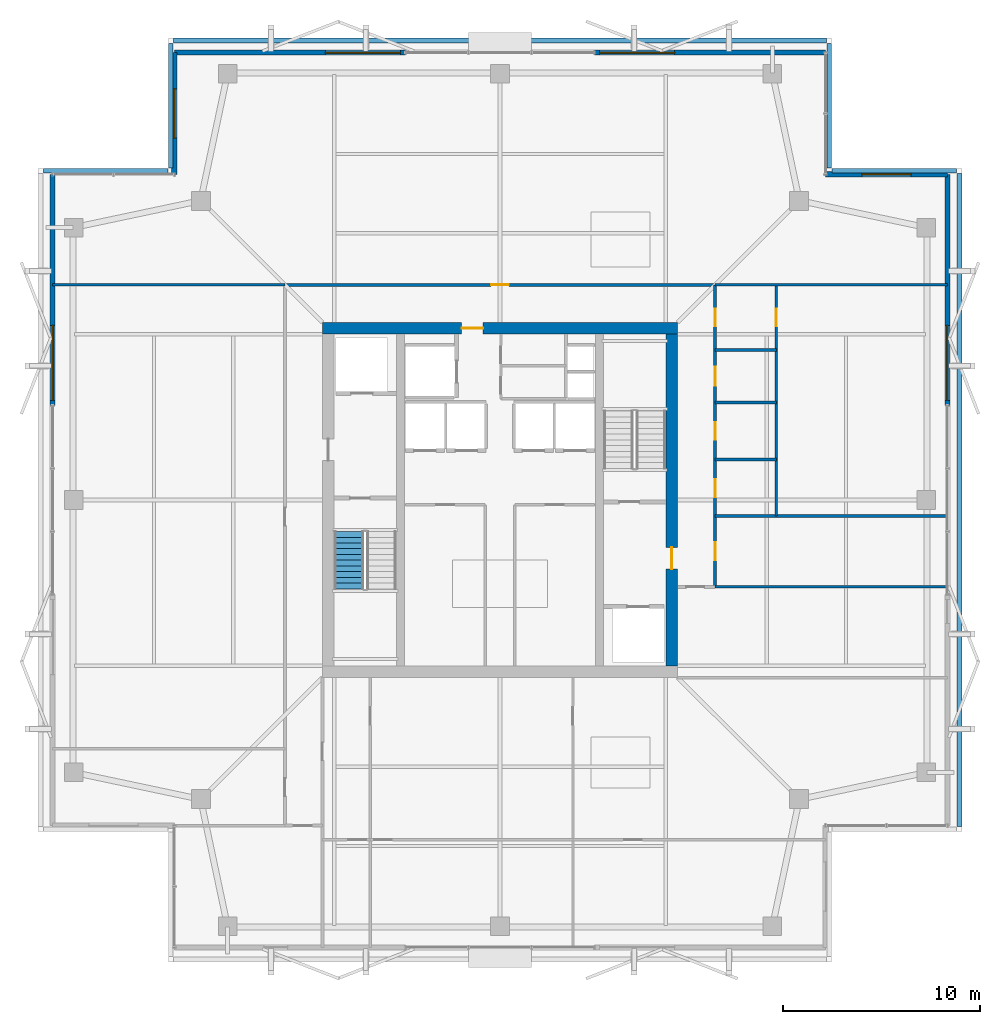
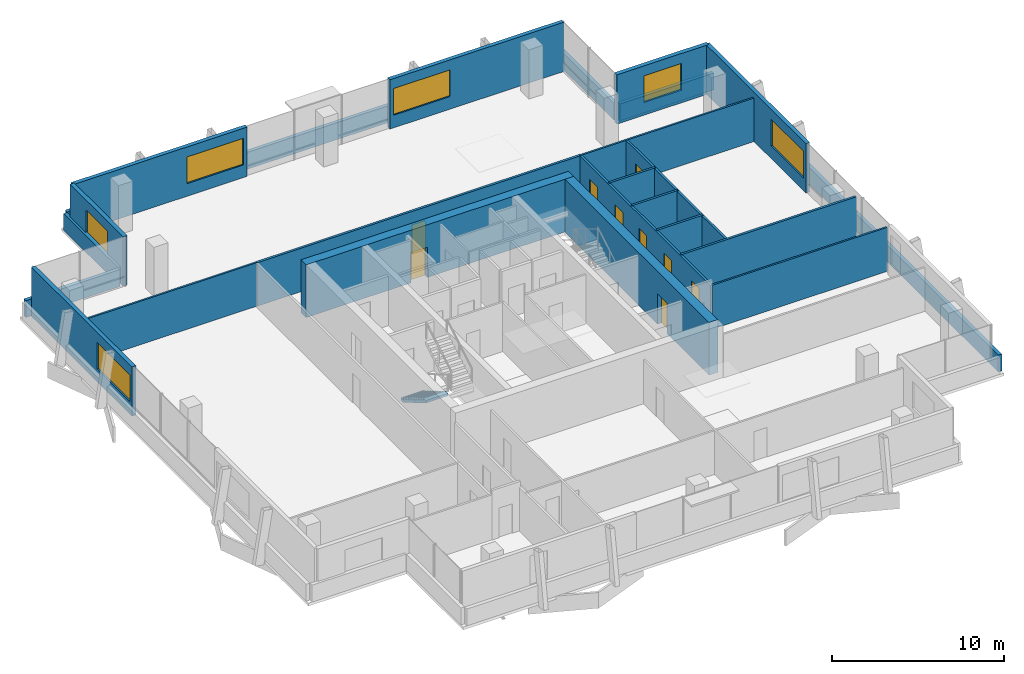
# One storey, part 23 of 26: 24 walls, 9 doors, 6 windows, 1 stair flight, 15 openings, 1 element without a shape of its own.
"""IFC4 building model written with IfcOpenShell, lengths in metres."""

from ifc_helpers import new_model, si_unit, direction, frame, frame_2d, origin, place, context, subcontext, project, spatial, polyline, rectangle, outline, extrude, material, layer, layer_set, type_object, element, fill, aggregate, save


model = new_model("IFC4")

# Units and contexts
model_context = context("Model", 3, precision=1e-05, world=origin(), true_north=direction((0.0, 1.0)))
body_context = subcontext(model_context, "Body", "Model", "MODEL_VIEW")
ifc_project = project(units=[si_unit("LENGTHUNIT", "METRE"), si_unit("AREAUNIT", "SQUARE_METRE"), si_unit("VOLUMEUNIT", "CUBIC_METRE"), si_unit("PLANEANGLEUNIT", "RADIAN"), si_unit("MASSUNIT", "GRAM", prefix="KILO")], contexts=[model_context])

# Site, building, storey
site_placement = place(None, origin())
site = spatial("IfcSite", under=ifc_project, at=site_placement, CompositionType="ELEMENT")
building_placement = place(site_placement, origin())
building = spatial("IfcBuilding", under=site, at=building_placement, Name="Belovzor Exchange Tower", CompositionType="ELEMENT")
storey_placement = place(building_placement, frame((0.0, 0.0, 295.5)))
storey = spatial("IfcBuildingStorey", under=building, at=storey_placement, Name="L73", CompositionType="ELEMENT", Elevation=295.5)

# Walls
ifc_material_1 = material(Name="Acoustic Plasterboard on Galvanised Studs", Category="gypsum")
ifc_layer_1 = layer(ifc_material_1, 0.1201171875)
ifc_layer_set_1 = layer_set([ifc_layer_1], Name="Acoustic Plasterboard on Galvanised Studs")
wall_type_1 = type_object("IfcWallType", Name="Acoustic Double-Stud Partition Wall 120", PredefinedType="PARTITIONING", material=ifc_layer_set_1)
wall_1_placement = place(storey_placement, frame((39.699951171875, 24.39990234375, 0.0), z_axis=(0.0, 0.0, 1.0), x_axis=(1.0, 0.0, 0.0)))
element("IfcWall", 1, at=wall_1_placement, inside=storey, type_object=wall_type_1, Name="W-P120 Partition Wall W-L73-ESN", PredefinedType="PARTITIONING", context=body_context, shape_type="SweptSolid", body=[
    extrude(rectangle(XDim=11.77001953125, YDim=0.1201171875, at=frame_2d((5.885009765625, 0.0))), origin(), (0.0, 0.0, 1.0), 3.135009765625),
])
for number, where, z_axis, x_axis, name in (
    (2, (6.1298828125, 39.699951171875, 0.0), (0.0, 0.0, 1.0), (1.0, 0.0, 0.0), "W-P120 Partition Wall W-L73-END-NW"),
    (3, (39.699951171875, 39.699951171875, 0.0), (0.0, 0.0, 1.0), (1.0, 0.0, 0.0), "W-P120 Partition Wall W-L73-END-NE"),
):
    element("IfcWall", number, at=place(storey_placement, frame(where, z_axis=z_axis, x_axis=x_axis)), inside=storey, type_object=wall_type_1, Name=name, PredefinedType="PARTITIONING", context=body_context, shape_type="SweptSolid", body=[
        extrude(rectangle(XDim=11.77001953125, YDim=0.1201171875, at=frame_2d((5.885009765625, 0.0))), origin(), (0.0, 0.0, 1.0), 3.094970703125),
    ])

# Wall, opening, door
ifc_material_2 = material(Name="Fire-Rated Gypsum Block and Mineral Wool", Category="gypsum")
ifc_layer_2 = layer(ifc_material_2, 0.14990234375)
ifc_layer_set_2 = layer_set([ifc_layer_2], Name="Fire-Rated Gypsum Block and Mineral Wool")
wall_type_2 = type_object("IfcWallType", Name="Fire-Rated Gypsum Block Corridor Wall 150", PredefinedType="PARTITIONING", material=ifc_layer_set_2)
wall_2_placement = place(storey_placement, frame((42.800048828125, 28.0, 0.0), z_axis=(0.0, 0.0, 1.0), x_axis=(0.0, 1.0, 0.0)))
wall_2 = element("IfcWall", 4, at=wall_2_placement, inside=storey, type_object=wall_type_2, Name="W-P150 Partition Wall W-L73-EWC-E", PredefinedType="PARTITIONING", context=body_context, shape_type="SweptSolid", body=[
    extrude(rectangle(XDim=11.699951171875, YDim=0.14990234375, at=frame_2d((5.85009765625, 0.0))), origin(), (0.0, 0.0, 1.0), 3.094970703125),
])
opening_1_placement = place(wall_2_placement, frame((9.60009765625, 0.0, 0.0)))
opening_1 = element("IfcOpeningElement", 5, at=opening_1_placement, cuts=wall_2, Name="Opening D-INT-090", PredefinedType="OPENING", context=body_context, shape_type="SweptSolid", body=[
    extrude(rectangle(XDim=0.89990234375, YDim=2.10009765625, at=frame_2d((0.449951171875, 1.050048828125))), frame((0.0, 0.0849609375, 0.0), z_axis=(0.0, -1.0, 0.0), x_axis=(1.0, 0.0, 0.0)), (0.0, 0.0, 1.0), 0.169921875),
])
ifc_material_3 = material(Name="Veneered Hardwood Acoustic Leaf", Category="wood")
door_type_1 = type_object("IfcDoorType", Name="Trading Suite Acoustic Single Door 900x2100", OperationType="NOTDEFINED", PredefinedType="DOOR", material=ifc_material_3)
door_1_placement = place(opening_1_placement, origin())
door_1 = element("IfcDoor", 6, at=door_1_placement, inside=storey, type_object=door_type_1, Name="D-INT-090 Trading Suite Acoustic Single Door 900x2100", OperationType="SINGLE_SWING_RIGHT", OverallHeight=2.10009765625, OverallWidth=0.89990234375, PredefinedType="DOOR", context=body_context, shape_type="SweptSolid", body=[
    extrude(rectangle(XDim=0.89990234375, YDim=2.10009765625, at=frame_2d((0.449951171875, 1.050048828125))), frame((0.0, 0.02490234375, 0.0), z_axis=(0.0, -1.0, 0.0), x_axis=(1.0, 0.0, 0.0)), (0.0, 0.0, 1.0), 0.050048828125),
])
fill(opening_1, door_1)

# Walls
wall_3_placement = place(storey_placement, frame((39.699951171875, 28.0, 0.0), z_axis=(0.0, 0.0, 1.0), x_axis=(1.0, 0.0, 0.0)))
element("IfcWall", 7, at=wall_3_placement, inside=storey, type_object=wall_type_2, Name="W-P150 Partition Wall W-L73-EWC-S", PredefinedType="PARTITIONING", context=body_context, shape_type="SweptSolid", body=[
    extrude(rectangle(XDim=11.77001953125, YDim=0.14990234375, at=frame_2d((5.885009765625, 0.0))), origin(), (0.0, 0.0, 1.0), 3.135009765625),
])
for number, where, z_axis, x_axis, name in (
    (8, (39.699951171875, 36.39990234375, 0.0), (0.0, 0.0, 1.0), (1.0, 0.0, 0.0), "W-P150 Partition Wall W-L73-EWC-N"),
    (9, (39.699951171875, 30.85009765625, 0.0), (0.0, 0.0, 1.0), (1.0, 0.0, 0.0), "W-P150 Partition Wall W-L73-EWC-D1"),
    (10, (39.699951171875, 33.75, 0.0), (0.0, 0.0, 1.0), (1.0, 0.0, 0.0), "W-P150 Partition Wall W-L73-EWC-D2"),
):
    element("IfcWall", number, at=place(storey_placement, frame(where, z_axis=z_axis, x_axis=x_axis)), inside=storey, type_object=wall_type_2, Name=name, PredefinedType="PARTITIONING", context=body_context, shape_type="SweptSolid", body=[
        extrude(rectangle(XDim=3.10009765625, YDim=0.14990234375, at=frame_2d((1.550048828125, 0.0))), origin(), (0.0, 0.0, 1.0), 3.135009765625),
    ])

# Wall, opening, door
wall_4_placement = place(storey_placement, frame((17.89990234375, 39.699951171875, 0.0), z_axis=(0.0, 0.0, 1.0), x_axis=(1.0, 0.0, 0.0)))
wall_4 = element("IfcWall", 11, at=wall_4_placement, inside=storey, type_object=wall_type_2, Name="W-P150 Partition Wall W-L73-CN", PredefinedType="PARTITIONING", context=body_context, shape_type="SweptSolid", body=[
    extrude(rectangle(XDim=21.800048828125, YDim=0.14990234375, at=frame_2d((10.89990234375, 0.0))), origin(), (0.0, 0.0, 1.0), 3.094970703125),
])
opening_2_placement = place(wall_4_placement, frame((10.449951171875, 0.0, 0.0)))
opening_2 = element("IfcOpeningElement", 12, at=opening_2_placement, cuts=wall_4, Name="Opening D-INT-090", PredefinedType="OPENING", context=body_context, shape_type="SweptSolid", body=[
    extrude(rectangle(XDim=0.89990234375, YDim=2.10009765625, at=frame_2d((0.449951171875, 1.050048828125))), frame((0.0, 0.0849609375, 0.0), z_axis=(0.0, -1.0, 0.0), x_axis=(1.0, 0.0, 0.0)), (0.0, 0.0, 1.0), 0.169921875),
])
door_2_placement = place(opening_2_placement, origin())
door_2 = element("IfcDoor", 13, at=door_2_placement, inside=storey, type_object=door_type_1, Name="D-INT-090 Trading Suite Acoustic Single Door 900x2100", OperationType="SINGLE_SWING_LEFT", OverallHeight=2.10009765625, OverallWidth=0.89990234375, PredefinedType="DOOR", context=body_context, shape_type="SweptSolid", body=[
    extrude(rectangle(XDim=0.89990234375, YDim=2.10009765625, at=frame_2d((0.449951171875, 1.050048828125))), frame((0.0, 0.02490234375, 0.0), z_axis=(0.0, -1.0, 0.0), x_axis=(1.0, 0.0, 0.0)), (0.0, 0.0, 1.0), 0.050048828125),
])
fill(opening_2, door_2)

# Wall, openings, doors
wall_5_placement = place(storey_placement, frame((39.699951171875, 24.39990234375, 0.0), z_axis=(0.0, 0.0, 1.0), x_axis=(0.0, 1.0, 0.0)))
wall_5 = element("IfcWall", 14, at=wall_5_placement, inside=storey, type_object=wall_type_2, Name="W-P150 Partition Wall W-L73-CE", PredefinedType="PARTITIONING", context=body_context, shape_type="SweptSolid", body=[
    extrude(rectangle(XDim=15.300048828125, YDim=0.14990234375, at=frame_2d((7.64990234375, 0.0))), origin(), (0.0, 0.0, 1.0), 3.094970703125),
])
opening_3_placement = place(wall_5_placement, frame((1.35009765625, 0.0, 0.0)))
opening_3 = element("IfcOpeningElement", 15, at=opening_3_placement, cuts=wall_5, Name="Opening D-INT-090", PredefinedType="OPENING", context=body_context, shape_type="SweptSolid", body=[
    extrude(rectangle(XDim=0.89990234375, YDim=2.10009765625, at=frame_2d((0.449951171875, 1.050048828125))), frame((0.0, 0.0849609375, 0.0), z_axis=(0.0, -1.0, 0.0), x_axis=(1.0, 0.0, 0.0)), (0.0, 0.0, 1.0), 0.169921875),
])
opening_4_placement = place(wall_5_placement, frame((4.550048828125, 0.0, 0.0)))
opening_4 = element("IfcOpeningElement", 16, at=opening_4_placement, cuts=wall_5, Name="Opening D-FD60-090", PredefinedType="OPENING", context=body_context, shape_type="SweptSolid", body=[
    extrude(rectangle(XDim=0.89990234375, YDim=2.10009765625, at=frame_2d((0.449951171875, 1.050048828125))), frame((0.0, 0.0849609375, 0.0), z_axis=(0.0, -1.0, 0.0), x_axis=(1.0, 0.0, 0.0)), (0.0, 0.0, 1.0), 0.169921875),
])
opening_5_placement = place(wall_5_placement, frame((7.449951171875, 0.0, 0.0)))
opening_5 = element("IfcOpeningElement", 17, at=opening_5_placement, cuts=wall_5, Name="Opening D-FD60-090", PredefinedType="OPENING", context=body_context, shape_type="SweptSolid", body=[
    extrude(rectangle(XDim=0.89990234375, YDim=2.10009765625, at=frame_2d((0.449951171875, 1.050048828125))), frame((0.0, 0.0849609375, 0.0), z_axis=(0.0, -1.0, 0.0), x_axis=(1.0, 0.0, 0.0)), (0.0, 0.0, 1.0), 0.169921875),
])
opening_6_placement = place(wall_5_placement, frame((10.199951171875, 0.0, 0.0)))
opening_6 = element("IfcOpeningElement", 18, at=opening_6_placement, cuts=wall_5, Name="Opening D-FD60-095", PredefinedType="OPENING", context=body_context, shape_type="SweptSolid", body=[
    extrude(rectangle(XDim=0.949951171875, YDim=2.10009765625, at=frame_2d((0.47509765625, 1.050048828125))), frame((0.0, 0.0849609375, 0.0), z_axis=(0.0, -1.0, 0.0), x_axis=(1.0, 0.0, 0.0)), (0.0, 0.0, 1.0), 0.169921875),
])
opening_7_placement = place(wall_5_placement, frame((13.199951171875, 0.0, 0.0)))
opening_7 = element("IfcOpeningElement", 19, at=opening_7_placement, cuts=wall_5, Name="Opening D-FD60-090", PredefinedType="OPENING", context=body_context, shape_type="SweptSolid", body=[
    extrude(rectangle(XDim=0.89990234375, YDim=2.10009765625, at=frame_2d((0.449951171875, 1.050048828125))), frame((0.0, 0.0849609375, 0.0), z_axis=(0.0, -1.0, 0.0), x_axis=(1.0, 0.0, 0.0)), (0.0, 0.0, 1.0), 0.169921875),
])
ifc_material_4 = material(Name="Moisture-Resistant Timber Fire Leaf", Category="wood")
door_type_2 = type_object("IfcDoorType", Name="Accessible Restroom Wide Fire Door 950x2100", OperationType="NOTDEFINED", PredefinedType="DOOR", material=ifc_material_4)
door_3_placement = place(opening_6_placement, origin())
door_3 = element("IfcDoor", 20, at=door_3_placement, inside=storey, type_object=door_type_2, Name="D-FD60-095 Accessible Restroom Wide Fire Door 950x2100", OperationType="SINGLE_SWING_LEFT", OverallHeight=2.10009765625, OverallWidth=0.949951171875, PredefinedType="DOOR", context=body_context, shape_type="SweptSolid", body=[
    extrude(rectangle(XDim=0.949951171875, YDim=2.10009765625, at=frame_2d((0.47509765625, 1.050048828125))), frame((0.0, 0.02490234375, 0.0), z_axis=(0.0, -1.0, 0.0), x_axis=(1.0, 0.0, 0.0)), (0.0, 0.0, 1.0), 0.050048828125),
])
fill(opening_6, door_3)
ifc_material_5 = material(Name="Acoustic Timber Fire Leaf", Category="wood")
door_type_3 = type_object("IfcDoorType", Name="Core Service & Restroom Fire Door 900x2100", OperationType="NOTDEFINED", PredefinedType="DOOR", material=ifc_material_5)
door_4_placement = place(opening_4_placement, origin())
door_4 = element("IfcDoor", 21, at=door_4_placement, inside=storey, type_object=door_type_3, Name="D-FD60-090 Core Service & Restroom Fire Door 900x2100", OperationType="SINGLE_SWING_LEFT", OverallHeight=2.10009765625, OverallWidth=0.89990234375, PredefinedType="DOOR", context=body_context, shape_type="SweptSolid", body=[
    extrude(rectangle(XDim=0.89990234375, YDim=2.10009765625, at=frame_2d((0.449951171875, 1.050048828125))), frame((0.0, 0.02490234375, 0.0), z_axis=(0.0, -1.0, 0.0), x_axis=(1.0, 0.0, 0.0)), (0.0, 0.0, 1.0), 0.050048828125),
])
fill(opening_4, door_4)
door_5_placement = place(opening_5_placement, origin())
door_5 = element("IfcDoor", 22, at=door_5_placement, inside=storey, type_object=door_type_3, Name="D-FD60-090 Core Service & Restroom Fire Door 900x2100", OperationType="SINGLE_SWING_RIGHT", OverallHeight=2.10009765625, OverallWidth=0.89990234375, PredefinedType="DOOR", context=body_context, shape_type="SweptSolid", body=[
    extrude(rectangle(XDim=0.89990234375, YDim=2.10009765625, at=frame_2d((0.449951171875, 1.050048828125))), frame((0.0, 0.02490234375, 0.0), z_axis=(0.0, -1.0, 0.0), x_axis=(1.0, 0.0, 0.0)), (0.0, 0.0, 1.0), 0.050048828125),
])
fill(opening_5, door_5)
door_6_placement = place(opening_7_placement, origin())
door_6 = element("IfcDoor", 23, at=door_6_placement, inside=storey, type_object=door_type_3, Name="D-FD60-090 Core Service & Restroom Fire Door 900x2100", OperationType="SINGLE_SWING_RIGHT", OverallHeight=2.10009765625, OverallWidth=0.89990234375, PredefinedType="DOOR", context=body_context, shape_type="SweptSolid", body=[
    extrude(rectangle(XDim=0.89990234375, YDim=2.10009765625, at=frame_2d((0.449951171875, 1.050048828125))), frame((0.0, 0.02490234375, 0.0), z_axis=(0.0, -1.0, 0.0), x_axis=(1.0, 0.0, 0.0)), (0.0, 0.0, 1.0), 0.050048828125),
])
fill(opening_7, door_6)
door_7_placement = place(opening_3_placement, origin())
door_7 = element("IfcDoor", 24, at=door_7_placement, inside=storey, type_object=door_type_1, Name="D-INT-090 Trading Suite Acoustic Single Door 900x2100", OperationType="SINGLE_SWING_RIGHT", OverallHeight=2.10009765625, OverallWidth=0.89990234375, PredefinedType="DOOR", context=body_context, shape_type="SweptSolid", body=[
    extrude(rectangle(XDim=0.89990234375, YDim=2.10009765625, at=frame_2d((0.449951171875, 1.050048828125))), frame((0.0, 0.02490234375, 0.0), z_axis=(0.0, -1.0, 0.0), x_axis=(1.0, 0.0, 0.0)), (0.0, 0.0, 1.0), 0.050048828125),
])
fill(opening_3, door_7)

# Wall, opening, window
ifc_material_6 = material(Name="Precast concrete C40/50", Category="concrete")
ifc_layer_3 = layer(ifc_material_6, 0.280029296875)
ifc_layer_set_3 = layer_set([ifc_layer_3], Name="Precast concrete C40/50")
wall_type_3 = type_object("IfcWallType", Name="Precast Concrete Notched Corner Frame Wall 280", PredefinedType="SOLIDWALL", material=ifc_layer_set_3)
wall_6_placement = place(storey_placement, frame((12.300048828125, 45.300048828125, 0.0), z_axis=(0.0, 0.0, 1.0), x_axis=(0.0, 1.0, 0.0)))
wall_6 = element("IfcWall", 25, at=wall_6_placement, inside=storey, type_object=wall_type_3, Name="W-CRN280 Precast Concrete Notched Corner Frame Wall 280 L73", PredefinedType="SOLIDWALL", context=body_context, shape_type="SweptSolid", body=[
    extrude(rectangle(XDim=6.169921875, YDim=0.280029296875, at=frame_2d((3.0849609375, 0.0))), origin(), (0.0, 0.0, 1.0), 3.510009765625),
])
opening_8_placement = place(wall_6_placement, frame((1.8349609375, 0.0, 0.89990234375)))
opening_8 = element("IfcOpeningElement", 26, at=opening_8_placement, cuts=wall_6, Name="Opening WN-CRN250", PredefinedType="OPENING", context=body_context, shape_type="SweptSolid", body=[
    extrude(rectangle(XDim=2.5, YDim=1.89990234375, at=frame_2d((1.25, 0.949951171875))), frame((0.0, 0.14990234375, 0.0), z_axis=(0.0, -1.0, 0.0), x_axis=(1.0, 0.0, 0.0)), (0.0, 0.0, 1.0), 0.300048828125),
])
ifc_material_7 = material(Name="Thermally Broken Aluminium and Triple Glazing", Category="aluminium")
window_type_1 = type_object("IfcWindowType", Name="Streamline Moderne Corner Wrap Ribbon Window 2500x1900", PartitioningType="SINGLE_PANEL", PredefinedType="WINDOW", material=ifc_material_7)
window_1_placement = place(opening_8_placement, origin())
window_1 = element("IfcWindow", 27, at=window_1_placement, inside=storey, type_object=window_type_1, Name="WN-CRN250 Streamline Moderne Corner Wrap Ribbon Window 2500x1900", OverallHeight=1.89990234375, OverallWidth=2.5, PartitioningType="SINGLE_PANEL", PredefinedType="WINDOW", context=body_context, shape_type="SweptSolid", body=[
    extrude(rectangle(XDim=2.5, YDim=1.89990234375, at=frame_2d((1.25, 0.949951171875))), frame((0.0, 0.030029296875, 0.0), z_axis=(0.0, -1.0, 0.0), x_axis=(1.0, 0.0, 0.0)), (0.0, 0.0, 1.0), 0.06005859375),
])
fill(opening_8, window_1)

wall_7_placement = place(storey_placement, frame((45.300048828125, 45.300048828125, 0.0), z_axis=(0.0, 0.0, 1.0), x_axis=(1.0, 0.0, 0.0)))
wall_7 = element("IfcWall", 28, at=wall_7_placement, inside=storey, type_object=wall_type_3, Name="W-CRN280 Precast Concrete Notched Corner Frame Wall 280 L73", PredefinedType="SOLIDWALL", context=body_context, shape_type="SweptSolid", body=[
    extrude(rectangle(XDim=6.169921875, YDim=0.280029296875, at=frame_2d((3.0849609375, 0.0))), origin(), (0.0, 0.0, 1.0), 3.510009765625),
])
opening_9_placement = place(wall_7_placement, frame((1.8349609375, 0.0, 0.89990234375)))
opening_9 = element("IfcOpeningElement", 29, at=opening_9_placement, cuts=wall_7, Name="Opening WN-CRN250", PredefinedType="OPENING", context=body_context, shape_type="SweptSolid", body=[
    extrude(rectangle(XDim=2.5, YDim=1.89990234375, at=frame_2d((1.25, 0.949951171875))), frame((0.0, 0.14990234375, 0.0), z_axis=(0.0, -1.0, 0.0), x_axis=(1.0, 0.0, 0.0)), (0.0, 0.0, 1.0), 0.300048828125),
])
window_2_placement = place(opening_9_placement, origin())
window_2 = element("IfcWindow", 30, at=window_2_placement, inside=storey, type_object=window_type_1, Name="WN-CRN250 Streamline Moderne Corner Wrap Ribbon Window 2500x1900", OverallHeight=1.89990234375, OverallWidth=2.5, PartitioningType="SINGLE_PANEL", PredefinedType="WINDOW", context=body_context, shape_type="SweptSolid", body=[
    extrude(rectangle(XDim=2.5, YDim=1.89990234375, at=frame_2d((1.25, 0.949951171875))), frame((0.0, 0.030029296875, 0.0), z_axis=(0.0, -1.0, 0.0), x_axis=(1.0, 0.0, 0.0)), (0.0, 0.0, 1.0), 0.06005859375),
])
fill(opening_9, window_2)

ifc_material_8 = material(Name="Precast concrete C40/50", Category="concrete")
ifc_layer_4 = layer(ifc_material_8, 0.260009765625)
ifc_layer_set_4 = layer_set([ifc_layer_4], Name="Precast concrete C40/50")
wall_type_4 = type_object("IfcWallType", Name="Precast Concrete Perimeter Loggia Frame Wall 260", PredefinedType="SOLIDWALL", material=ifc_layer_set_4)
wall_8_placement = place(storey_placement, frame((12.300048828125, 51.469970703125, 0.0), z_axis=(0.0, 0.0, 1.0), x_axis=(1.0, 0.0, 0.0)))
wall_8 = element("IfcWall", 31, at=wall_8_placement, inside=storey, type_object=wall_type_4, Name="W-EXT260 Precast Concrete Perimeter Loggia Frame Wall 260 L73", PredefinedType="SOLIDWALL", context=body_context, shape_type="SweptSolid", body=[
    extrude(rectangle(XDim=11.699951171875, YDim=0.260009765625, at=frame_2d((5.85009765625, 0.0))), origin(), (0.0, 0.0, 1.0), 3.510009765625),
])
opening_10_placement = place(wall_8_placement, frame((7.64990234375, 0.0, 0.89990234375)))
opening_10 = element("IfcOpeningElement", 32, at=opening_10_placement, cuts=wall_8, Name="Opening WN-RIB380", PredefinedType="OPENING", context=body_context, shape_type="SweptSolid", body=[
    extrude(rectangle(XDim=3.800048828125, YDim=1.89990234375, at=frame_2d((1.89990234375, 0.949951171875))), frame((0.0, 0.139892578125, 0.0), z_axis=(0.0, -1.0, 0.0), x_axis=(1.0, 0.0, 0.0)), (0.0, 0.0, 1.0), 0.280029296875),
])
ifc_material_9 = material(Name="Thermally Broken Aluminium and Triple Glazing", Category="aluminium")
window_type_2 = type_object("IfcWindowType", Name="Streamline Moderne Horizontal Ribbon Window 3800x1900", PartitioningType="SINGLE_PANEL", PredefinedType="WINDOW", material=ifc_material_9)
window_3_placement = place(opening_10_placement, origin())
window_3 = element("IfcWindow", 33, at=window_3_placement, inside=storey, type_object=window_type_2, Name="WN-RIB380 Streamline Moderne Horizontal Ribbon Window 3800x1900", OverallHeight=1.89990234375, OverallWidth=3.800048828125, PartitioningType="SINGLE_PANEL", PredefinedType="WINDOW", context=body_context, shape_type="SweptSolid", body=[
    extrude(rectangle(XDim=3.800048828125, YDim=1.89990234375, at=frame_2d((1.89990234375, 0.949951171875))), frame((0.0, 0.030029296875, 0.0), z_axis=(0.0, -1.0, 0.0), x_axis=(1.0, 0.0, 0.0)), (0.0, 0.0, 1.0), 0.06005859375),
])
fill(opening_10, window_3)

wall_9_placement = place(storey_placement, frame((33.60009765625, 51.469970703125, 0.0), z_axis=(0.0, 0.0, 1.0), x_axis=(1.0, 0.0, 0.0)))
wall_9 = element("IfcWall", 34, at=wall_9_placement, inside=storey, type_object=wall_type_4, Name="W-EXT260 Precast Concrete Perimeter Loggia Frame Wall 260 L73", PredefinedType="SOLIDWALL", context=body_context, shape_type="SweptSolid", body=[
    extrude(rectangle(XDim=11.699951171875, YDim=0.260009765625, at=frame_2d((5.85009765625, 0.0))), origin(), (0.0, 0.0, 1.0), 3.510009765625),
])
opening_11_placement = place(wall_9_placement, frame((0.25, 0.0, 0.89990234375)))
opening_11 = element("IfcOpeningElement", 35, at=opening_11_placement, cuts=wall_9, Name="Opening WN-RIB380", PredefinedType="OPENING", context=body_context, shape_type="SweptSolid", body=[
    extrude(rectangle(XDim=3.800048828125, YDim=1.89990234375, at=frame_2d((1.89990234375, 0.949951171875))), frame((0.0, 0.139892578125, 0.0), z_axis=(0.0, -1.0, 0.0), x_axis=(1.0, 0.0, 0.0)), (0.0, 0.0, 1.0), 0.280029296875),
])
window_4_placement = place(opening_11_placement, origin())
window_4 = element("IfcWindow", 36, at=window_4_placement, inside=storey, type_object=window_type_2, Name="WN-RIB380 Streamline Moderne Horizontal Ribbon Window 3800x1900", OverallHeight=1.89990234375, OverallWidth=3.800048828125, PartitioningType="SINGLE_PANEL", PredefinedType="WINDOW", context=body_context, shape_type="SweptSolid", body=[
    extrude(rectangle(XDim=3.800048828125, YDim=1.89990234375, at=frame_2d((1.89990234375, 0.949951171875))), frame((0.0, 0.030029296875, 0.0), z_axis=(0.0, -1.0, 0.0), x_axis=(1.0, 0.0, 0.0)), (0.0, 0.0, 1.0), 0.06005859375),
])
fill(opening_11, window_4)

wall_10_placement = place(storey_placement, frame((6.1298828125, 33.60009765625, 0.0), z_axis=(0.0, 0.0, 1.0), x_axis=(0.0, 1.0, 0.0)))
wall_10 = element("IfcWall", 37, at=wall_10_placement, inside=storey, type_object=wall_type_4, Name="W-EXT260 Precast Concrete Perimeter Loggia Frame Wall 260 L73", PredefinedType="SOLIDWALL", context=body_context, shape_type="SweptSolid", body=[
    extrude(rectangle(XDim=11.699951171875, YDim=0.260009765625, at=frame_2d((5.85009765625, 0.0))), origin(), (0.0, 0.0, 1.0), 3.510009765625),
])
opening_12_placement = place(wall_10_placement, frame((0.25, 0.0, 0.89990234375)))
opening_12 = element("IfcOpeningElement", 38, at=opening_12_placement, cuts=wall_10, Name="Opening WN-RIB380", PredefinedType="OPENING", context=body_context, shape_type="SweptSolid", body=[
    extrude(rectangle(XDim=3.800048828125, YDim=1.89990234375, at=frame_2d((1.89990234375, 0.949951171875))), frame((0.0, 0.139892578125, 0.0), z_axis=(0.0, -1.0, 0.0), x_axis=(1.0, 0.0, 0.0)), (0.0, 0.0, 1.0), 0.280029296875),
])
window_5_placement = place(opening_12_placement, origin())
window_5 = element("IfcWindow", 39, at=window_5_placement, inside=storey, type_object=window_type_2, Name="WN-RIB380 Streamline Moderne Horizontal Ribbon Window 3800x1900", OverallHeight=1.89990234375, OverallWidth=3.800048828125, PartitioningType="SINGLE_PANEL", PredefinedType="WINDOW", context=body_context, shape_type="SweptSolid", body=[
    extrude(rectangle(XDim=3.800048828125, YDim=1.89990234375, at=frame_2d((1.89990234375, 0.949951171875))), frame((0.0, 0.030029296875, 0.0), z_axis=(0.0, -1.0, 0.0), x_axis=(1.0, 0.0, 0.0)), (0.0, 0.0, 1.0), 0.06005859375),
])
fill(opening_12, window_5)

wall_11_placement = place(storey_placement, frame((51.469970703125, 45.300048828125, 0.0), z_axis=(0.0, 0.0, 1.0), x_axis=(0.0, -1.0, 0.0)))
wall_11 = element("IfcWall", 40, at=wall_11_placement, inside=storey, type_object=wall_type_4, Name="W-EXT260 Precast Concrete Perimeter Loggia Frame Wall 260 L73", PredefinedType="SOLIDWALL", context=body_context, shape_type="SweptSolid", body=[
    extrude(rectangle(XDim=11.699951171875, YDim=0.260009765625, at=frame_2d((5.85009765625, 0.0))), origin(), (0.0, 0.0, 1.0), 3.510009765625),
])
opening_13_placement = place(wall_11_placement, frame((7.64990234375, 0.0, 0.89990234375)))
opening_13 = element("IfcOpeningElement", 41, at=opening_13_placement, cuts=wall_11, Name="Opening WN-RIB380", PredefinedType="OPENING", context=body_context, shape_type="SweptSolid", body=[
    extrude(rectangle(XDim=3.800048828125, YDim=1.89990234375, at=frame_2d((1.89990234375, 0.949951171875))), frame((0.0, 0.139892578125, 0.0), z_axis=(0.0, -1.0, 0.0), x_axis=(1.0, 0.0, 0.0)), (0.0, 0.0, 1.0), 0.280029296875),
])
window_6_placement = place(opening_13_placement, origin())
window_6 = element("IfcWindow", 42, at=window_6_placement, inside=storey, type_object=window_type_2, Name="WN-RIB380 Streamline Moderne Horizontal Ribbon Window 3800x1900", OverallHeight=1.89990234375, OverallWidth=3.800048828125, PartitioningType="SINGLE_PANEL", PredefinedType="WINDOW", context=body_context, shape_type="SweptSolid", body=[
    extrude(rectangle(XDim=3.800048828125, YDim=1.89990234375, at=frame_2d((1.89990234375, 0.949951171875))), frame((0.0, 0.030029296875, 0.0), z_axis=(0.0, -1.0, 0.0), x_axis=(1.0, 0.0, 0.0)), (0.0, 0.0, 1.0), 0.06005859375),
])
fill(opening_13, window_6)

# Walls
ifc_material_10 = material(Name="Precast concrete C40/50", Category="concrete")
ifc_layer_5 = layer(ifc_material_10, 0.239990234375)
ifc_layer_set_5 = layer_set([ifc_layer_5], Name="Precast concrete C40/50")
wall_type_5 = type_object("IfcWallType", Name="Precast Stone Setback Roof Parapet Wall 240", PredefinedType="PARAPET", material=ifc_layer_set_5)
wall_12_placement = place(storey_placement, frame((52.080078125, 12.2548828125, 0.0), z_axis=(0.0, 0.0, 1.0), x_axis=(0.0, 1.0, 0.0)))
element("IfcWall", 43, at=wall_12_placement, inside=storey, type_object=wall_type_5, Name="W-PAR240 Precast Stone Setback Roof Parapet Wall 240 L73", PredefinedType="PARAPET", context=body_context, shape_type="SweptSolid", body=[
    extrude(rectangle(XDim=33.090087890625, YDim=0.239990234375, at=frame_2d((16.544921875, 0.0))), origin(), (0.0, 0.0, 1.0), 1.199951171875),
])
for number, where, z_axis, x_axis, name in (
    (44, (51.945068359375, 45.47998046875, 0.0), (0.0, 0.0, 1.0), (-1.0, 0.0, 0.0), "W-PAR240 Precast Stone Setback Roof Parapet Wall 240 L73"),
    (45, (45.47998046875, 45.614990234375, 0.0), (0.0, 0.0, 1.0), (0.0, 1.0, 0.0), "W-PAR240 Precast Stone Setback Roof Parapet Wall 240 L73"),
):
    element("IfcWall", number, at=place(storey_placement, frame(where, z_axis=z_axis, x_axis=x_axis)), inside=storey, type_object=wall_type_5, Name=name, PredefinedType="PARAPET", context=body_context, shape_type="SweptSolid", body=[
        extrude(rectangle(XDim=6.330078125, YDim=0.239990234375, at=frame_2d((3.1650390625, 0.0))), origin(), (0.0, 0.0, 1.0), 1.199951171875),
    ])
wall_13_placement = place(storey_placement, frame((45.344970703125, 52.080078125, 0.0), z_axis=(0.0, 0.0, 1.0), x_axis=(-1.0, 0.0, 0.0)))
element("IfcWall", 46, at=wall_13_placement, inside=storey, type_object=wall_type_5, Name="W-PAR240 Precast Stone Setback Roof Parapet Wall 240 L73", PredefinedType="PARAPET", context=body_context, shape_type="SweptSolid", body=[
    extrude(rectangle(XDim=33.090087890625, YDim=0.239990234375, at=frame_2d((16.544921875, 0.0))), origin(), (0.0, 0.0, 1.0), 1.199951171875),
])
for number, where, z_axis, x_axis, name in (
    (47, (12.1201171875, 51.945068359375, 0.0), (0.0, 0.0, 1.0), (0.0, -1.0, 0.0), "W-PAR240 Precast Stone Setback Roof Parapet Wall 240 L73"),
    (48, (11.985107421875, 45.47998046875, 0.0), (0.0, 0.0, 1.0), (-1.0, 0.0, 0.0), "W-PAR240 Precast Stone Setback Roof Parapet Wall 240 L73"),
):
    element("IfcWall", number, at=place(storey_placement, frame(where, z_axis=z_axis, x_axis=x_axis)), inside=storey, type_object=wall_type_5, Name=name, PredefinedType="PARAPET", context=body_context, shape_type="SweptSolid", body=[
        extrude(rectangle(XDim=6.330078125, YDim=0.239990234375, at=frame_2d((3.1650390625, 0.0))), origin(), (0.0, 0.0, 1.0), 1.199951171875),
    ])

# Wall, opening, door
ifc_material_11 = material(Name="Concrete C50/60", Category="concrete")
ifc_layer_6 = layer(ifc_material_11, 0.60009765625)
ifc_layer_set_6 = layer_set([ifc_layer_6], Name="Concrete C50/60")
wall_type_6 = type_object("IfcWallType", Name="Reinforced Concrete Core Shear Wall 600", PredefinedType="SHEAR", material=ifc_layer_set_6)
wall_14_placement = place(storey_placement, frame((19.800048828125, 37.5, 0.0), z_axis=(0.0, 0.0, 1.0), x_axis=(1.0, 0.0, 0.0)))
wall_14 = element("IfcWall", 49, at=wall_14_placement, inside=storey, type_object=wall_type_6, Name="CW-S060 Core Shear Wall L73 N", PredefinedType="SHEAR", context=body_context, shape_type="SweptSolid", body=[
    extrude(rectangle(XDim=18.0, YDim=0.60009765625, at=frame_2d((9.0, 0.0))), origin(), (0.0, 0.0, 1.0), 3.75),
])
opening_14_placement = place(wall_14_placement, frame((7.050048828125, 0.0, 0.0)))
opening_14 = element("IfcOpeningElement", 50, at=opening_14_placement, cuts=wall_14, Name="Opening D-FD90-110", PredefinedType="OPENING", context=body_context, shape_type="SweptSolid", body=[
    extrude(rectangle(XDim=1.10009765625, YDim=2.14990234375, at=frame_2d((0.550048828125, 1.074951171875))), frame((0.0, 0.31005859375, 0.0), z_axis=(0.0, -1.0, 0.0), x_axis=(1.0, 0.0, 0.0)), (0.0, 0.0, 1.0), 0.6201171875),
])
ifc_material_12 = material(Name="Fire-Rated Galvanised Steel Leaf", Category="steel")
door_type_4 = type_object("IfcDoorType", Name="Protected Escape Vestibule Fire Door 1100x2150", OperationType="NOTDEFINED", PredefinedType="DOOR", material=ifc_material_12)
door_8_placement = place(opening_14_placement, origin())
door_8 = element("IfcDoor", 51, at=door_8_placement, inside=storey, type_object=door_type_4, Name="D-FD90-110 Protected Escape Vestibule Fire Door 1100x2150", OperationType="SINGLE_SWING_LEFT", OverallHeight=2.14990234375, OverallWidth=1.10009765625, PredefinedType="DOOR", context=body_context, shape_type="SweptSolid", body=[
    extrude(rectangle(XDim=1.10009765625, YDim=2.14990234375, at=frame_2d((0.550048828125, 1.074951171875))), frame((0.0, 0.02490234375, 0.0), z_axis=(0.0, -1.0, 0.0), x_axis=(1.0, 0.0, 0.0)), (0.0, 0.0, 1.0), 0.050048828125),
])
fill(opening_14, door_8)

wall_15_placement = place(storey_placement, frame((37.5, 20.39990234375, 0.0), z_axis=(0.0, 0.0, 1.0), x_axis=(0.0, 1.0, 0.0)))
wall_15 = element("IfcWall", 52, at=wall_15_placement, inside=storey, type_object=wall_type_6, Name="CW-S060 Core Shear Wall L73 E", PredefinedType="SHEAR", context=body_context, shape_type="SweptSolid", body=[
    extrude(rectangle(XDim=16.800048828125, YDim=0.60009765625, at=frame_2d((8.39990234375, 0.0))), origin(), (0.0, 0.0, 1.0), 3.75),
])
opening_15_placement = place(wall_15_placement, frame((4.89990234375, 0.0, 0.0)))
opening_15 = element("IfcOpeningElement", 53, at=opening_15_placement, cuts=wall_15, Name="Opening D-FD90-110", PredefinedType="OPENING", context=body_context, shape_type="SweptSolid", body=[
    extrude(rectangle(XDim=1.10009765625, YDim=2.14990234375, at=frame_2d((0.550048828125, 1.074951171875))), frame((0.0, 0.31005859375, 0.0), z_axis=(0.0, -1.0, 0.0), x_axis=(1.0, 0.0, 0.0)), (0.0, 0.0, 1.0), 0.6201171875),
])
door_9_placement = place(opening_15_placement, origin())
door_9 = element("IfcDoor", 54, at=door_9_placement, inside=storey, type_object=door_type_4, Name="D-FD90-110 Protected Escape Vestibule Fire Door 1100x2150", OperationType="SINGLE_SWING_RIGHT", OverallHeight=2.14990234375, OverallWidth=1.10009765625, PredefinedType="DOOR", context=body_context, shape_type="SweptSolid", body=[
    extrude(rectangle(XDim=1.10009765625, YDim=2.14990234375, at=frame_2d((0.550048828125, 1.074951171875))), frame((0.0, 0.02490234375, 0.0), z_axis=(0.0, -1.0, 0.0), x_axis=(1.0, 0.0, 0.0)), (0.0, 0.0, 1.0), 0.050048828125),
])
fill(opening_15, door_9)

# Stair, stair flight
ifc_material_13 = material(Name="Concrete C40/50", Category="concrete")
stair_type = type_object("IfcStairType", Name="Reinforced Concrete Dogleg Escape Stair 1350", PredefinedType="HALF_TURN_STAIR", material=ifc_material_13)
stair_placement = place(storey_placement, origin())
stair = element("IfcStair", 55, at=stair_placement, inside=storey, type_object=stair_type, Name="L73 ST-1", PredefinedType="HALF_TURN_STAIR")
ifc_material_14 = material(Name="Concrete C40/50", Category="concrete")
stair_flight_type = type_object("IfcStairFlightType", Name="Reinforced Concrete Stair Flight 1350", PredefinedType="STRAIGHT", material=ifc_material_14)
stair_flight_placement = place(storey_placement, frame((21.14990234375, 27.199951171875, 0.0), z_axis=(0.0, 0.0, 1.0), x_axis=(0.0, -1.0, 0.0)))
stair_flight = element("IfcStairFlight", 56, at=stair_flight_placement, type_object=stair_flight_type, Name="ST-1 flight 1", NumberOfRisers=11, NumberOfTreads=10, PredefinedType="STRAIGHT", RiserHeight=0.170454545, TreadLength=0.29, context=body_context, shape_type="SweptSolid", body=[
    extrude(outline(polyline([(0.0, 0.0), (0.0, 0.17041015625), (0.2900390625, 0.17041015625), (0.2900390625, 0.3408203125), (0.580078125, 0.3408203125), (0.580078125, 0.511474609375), (0.8701171875, 0.511474609375), (0.8701171875, 0.681884765625), (1.159912109375, 0.681884765625), (1.159912109375, 0.852294921875), (1.449951171875, 0.852294921875), (1.449951171875, 1.022705078125), (1.739990234375, 1.022705078125), (1.739990234375, 1.193115234375), (2.030029296875, 1.193115234375), (2.030029296875, 1.363525390625), (2.320068359375, 1.363525390625), (2.320068359375, 1.5341796875), (2.610107421875, 1.5341796875), (2.610107421875, 1.70458984375), (2.89990234375, 1.70458984375), (2.89990234375, 1.875), (2.89990234375, 1.53076171875), (0.2958984375, 0.0), (0.0, 0.0)])), frame((0.0, 0.75, 0.0), z_axis=(0.0, -1.0, 0.0), x_axis=(1.0, 0.0, 0.0)), (0.0, 0.0, 1.0), 1.5),
])
aggregate(stair, [stair_flight])

save(model, "model.ifc")
